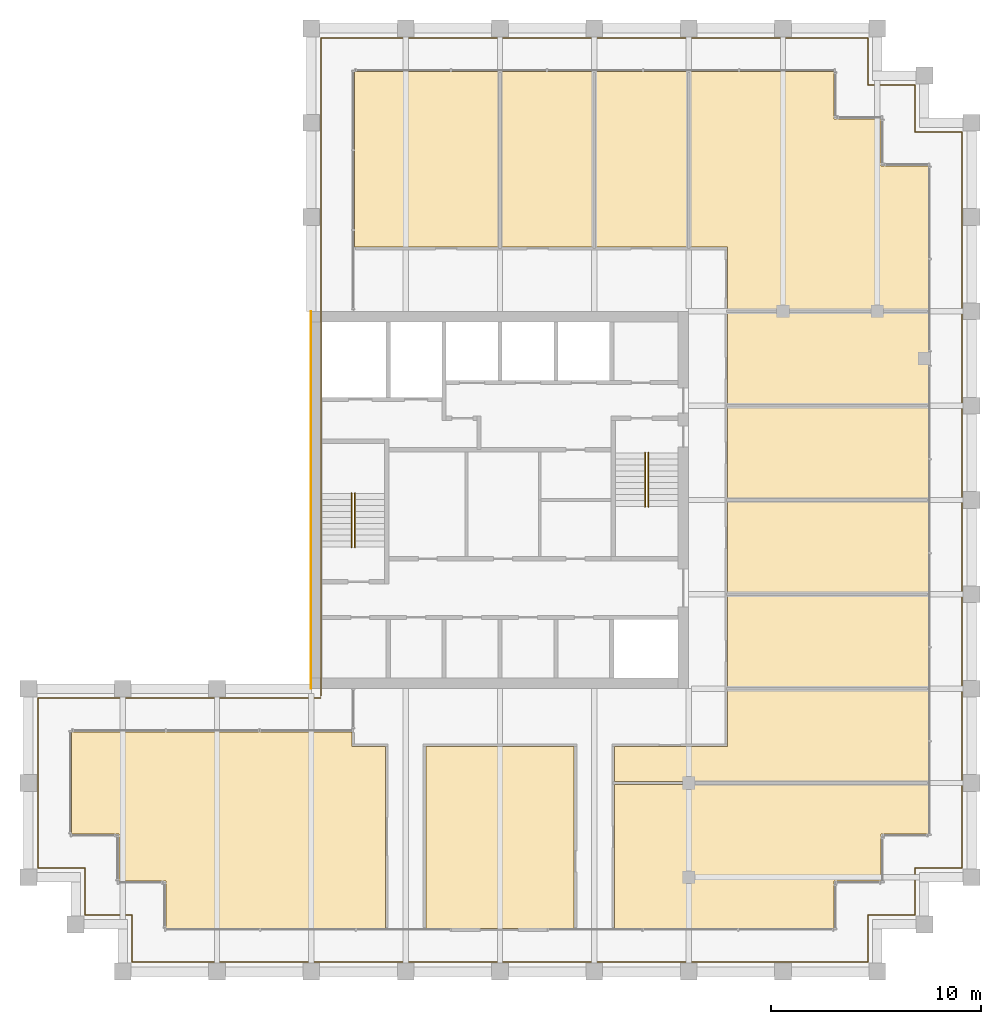
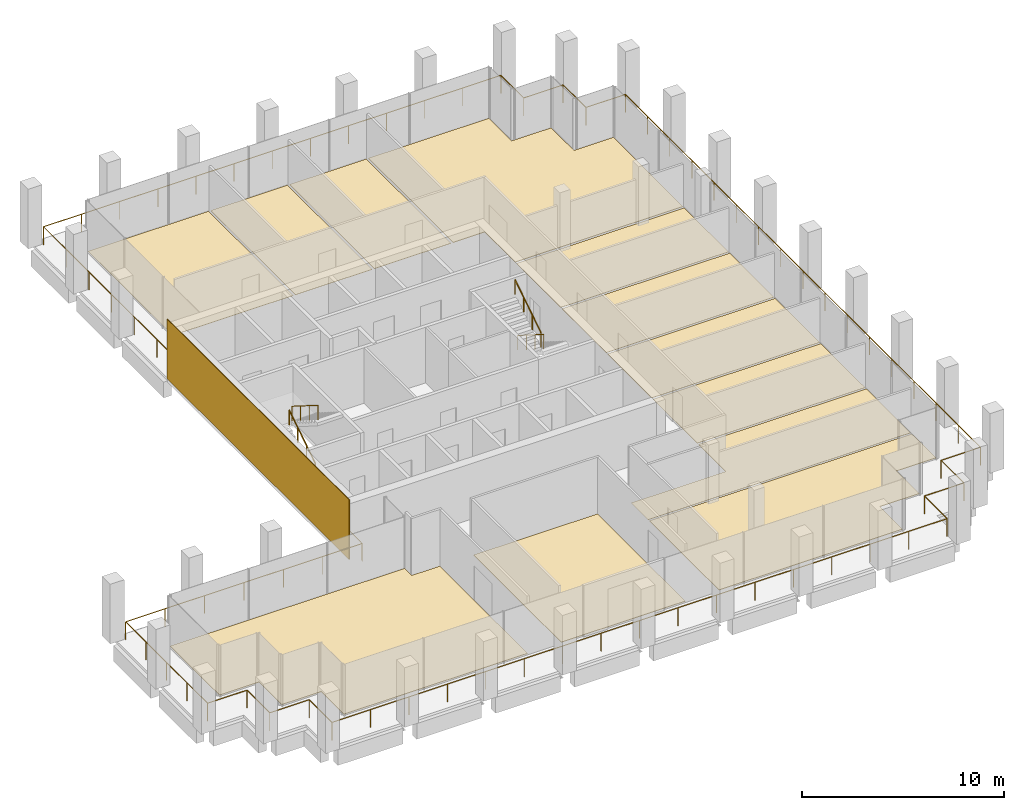
# One storey, part 30 of 30: 13 coverings, 5 railings.
"""IFC4 building model written with IfcOpenShell, lengths in metres."""

from ifc_helpers import new_model, si_unit, direction, frame, origin, origin_2d, place, context, subcontext, project, spatial, polyline, rectangle, circle, outline, extrude, source, transform, mapped, material, layer, layer_set, type_object, element, save


model = new_model("IFC4")

# Units and contexts
model_context = context("Model", 3, precision=1e-05, world=origin(), true_north=direction((0.0, 1.0)))
body_context = subcontext(model_context, "Body", "Model", "MODEL_VIEW")
ifc_project = project(units=[si_unit("LENGTHUNIT", "METRE"), si_unit("AREAUNIT", "SQUARE_METRE"), si_unit("VOLUMEUNIT", "CUBIC_METRE"), si_unit("PLANEANGLEUNIT", "RADIAN"), si_unit("MASSUNIT", "GRAM", prefix="KILO")], contexts=[model_context])

# Site, building, storey
site_placement = place(None, origin())
site = spatial("IfcSite", under=ifc_project, at=site_placement, CompositionType="ELEMENT")
building_placement = place(site_placement, origin())
building = spatial("IfcBuilding", under=site, at=building_placement, Name="Altepetl Exchange Towers", CompositionType="ELEMENT")
storey_placement = place(building_placement, frame((0.0, 0.0, 213.60009765625)))
storey = spatial("IfcBuildingStorey", under=building, at=storey_placement, Name="L54", CompositionType="ELEMENT", Elevation=213.60009765625)

# Coverings
ifc_material_1 = material(Name="Carpet tile")
ifc_layer_1 = layer(ifc_material_1, 0.02001953125)
ifc_layer_set_1 = layer_set([ifc_layer_1], Name="Carpet tile")
covering_type_1 = type_object("IfcCoveringType", Name="Carpet tile floor", PredefinedType="FLOORING", material=ifc_layer_set_1)
covering_1_placement = place(storey_placement, origin())
element("IfcCovering", 1, at=covering_1_placement, inside=storey, type_object=covering_type_1, Name="Family office floor finish A54.04", PredefinedType="FLOORING", context=body_context, shape_type="SweptSolid", body=[
    extrude(outline(polyline([(69.9375, 40.4375), (60.362548828125, 40.4375), (60.362548828125, 37.737548828125), (54.96240234375, 37.737548828125), (54.96240234375, 36.0625), (69.9375, 36.0625), (69.9375, 40.4375)])), origin(), (0.0, 0.0, 1.0), 0.02001953125),
])
covering_2_placement = place(storey_placement, origin())
element("IfcCovering", 2, at=covering_2_placement, inside=storey, type_object=covering_type_1, Name="Open office floor finish A54.05", PredefinedType="FLOORING", context=body_context, shape_type="SweptSolid", body=[
    extrude(outline(polyline([(69.9375, 44.9375), (60.362548828125, 44.9375), (60.362548828125, 40.5625), (69.9375, 40.5625), (69.9375, 44.9375)])), origin(), (0.0, 0.0, 1.0), 0.02001953125),
])
covering_3_placement = place(storey_placement, origin())
element("IfcCovering", 3, at=covering_3_placement, inside=storey, type_object=covering_type_1, Name="Conference room floor finish A54.06", PredefinedType="FLOORING", context=body_context, shape_type="SweptSolid", body=[
    extrude(outline(polyline([(69.9375, 49.4375), (60.362548828125, 49.4375), (60.362548828125, 45.0625), (69.9375, 45.0625), (69.9375, 49.4375)])), origin(), (0.0, 0.0, 1.0), 0.02001953125),
])
covering_4_placement = place(storey_placement, origin())
element("IfcCovering", 4, at=covering_4_placement, inside=storey, type_object=covering_type_1, Name="Open office floor finish A54.07", PredefinedType="FLOORING", context=body_context, shape_type="SweptSolid", body=[
    extrude(outline(polyline([(69.9375, 53.9375), (60.362548828125, 53.9375), (60.362548828125, 49.5625), (69.9375, 49.5625), (69.9375, 53.9375)])), origin(), (0.0, 0.0, 1.0), 0.02001953125),
])
covering_5_placement = place(storey_placement, origin())
element("IfcCovering", 5, at=covering_5_placement, inside=storey, type_object=covering_type_1, Name="Conference room floor finish A54.08", PredefinedType="FLOORING", context=body_context, shape_type="SweptSolid", body=[
    extrude(outline(polyline([(69.9375, 58.4375), (60.362548828125, 58.4375), (60.362548828125, 54.0625), (69.9375, 54.0625), (69.9375, 58.4375)])), origin(), (0.0, 0.0, 1.0), 0.02001953125),
])
covering_6_placement = place(storey_placement, origin())
element("IfcCovering", 6, at=covering_6_placement, inside=storey, type_object=covering_type_1, Name="Quiet room floor finish A54.10", PredefinedType="FLOORING", context=body_context, shape_type="SweptSolid", body=[
    extrude(outline(polyline([(58.4375, 61.5625), (58.4375, 69.9375), (54.0625, 69.9375), (54.0625, 61.5625), (58.4375, 61.5625)])), origin(), (0.0, 0.0, 1.0), 0.02001953125),
])
covering_7_placement = place(storey_placement, origin())
element("IfcCovering", 7, at=covering_7_placement, inside=storey, type_object=covering_type_1, Name="Pantry floor finish A54.11", PredefinedType="FLOORING", context=body_context, shape_type="SweptSolid", body=[
    extrude(outline(polyline([(53.9375, 61.5625), (53.9375, 69.9375), (49.5625, 69.9375), (49.5625, 61.5625), (53.9375, 61.5625)])), origin(), (0.0, 0.0, 1.0), 0.02001953125),
])
covering_8_placement = place(storey_placement, origin())
element("IfcCovering", 8, at=covering_8_placement, inside=storey, type_object=covering_type_1, Name="Open office floor finish A54.12", PredefinedType="FLOORING", context=body_context, shape_type="SweptSolid", body=[
    extrude(outline(polyline([(49.4375, 61.5625), (49.4375, 69.9375), (42.5625, 69.9375), (42.5625, 61.5625), (49.4375, 61.5625)])), origin(), (0.0, 0.0, 1.0), 0.02001953125),
])
ifc_material_2 = material(Name="Cantera stone", Category="masonry")
ifc_layer_2 = layer(ifc_material_2, 0.030029296875)
ifc_layer_set_2 = layer_set([ifc_layer_2], Name="Cantera stone")
covering_type_2 = type_object("IfcCoveringType", Name="Polished stone floor", PredefinedType="FLOORING", material=ifc_layer_set_2)
covering_9_placement = place(storey_placement, origin())
element("IfcCovering", 9, at=covering_9_placement, inside=storey, type_object=covering_type_2, Name="Library floor finish A54.01", PredefinedType="FLOORING", context=body_context, shape_type="SweptSolid", body=[
    extrude(outline(polyline([(31.3125, 33.5625), (31.3125, 31.3125), (33.5625, 31.3125), (33.5625, 29.0625), (44.03759765625, 29.0625), (44.03759765625, 37.737548828125), (42.4375, 37.737548828125), (42.4375, 38.4375), (29.0625, 38.4375), (29.0625, 33.5625), (31.3125, 33.5625)])), origin(), (0.0, 0.0, 1.0), 0.02978515625),
])
covering_10_placement = place(storey_placement, origin())
element("IfcCovering", 10, at=covering_10_placement, inside=storey, type_object=covering_type_2, Name="Library floor finish A54.02", PredefinedType="FLOORING", context=body_context, shape_type="SweptSolid", body=[
    extrude(outline(polyline([(45.96240234375, 37.737548828125), (45.96240234375, 29.0625), (53.03759765625, 29.0625), (53.03759765625, 37.737548828125), (45.96240234375, 37.737548828125)])), origin(), (0.0, 0.0, 1.0), 0.02978515625),
])
covering_11_placement = place(storey_placement, origin())
element("IfcCovering", 11, at=covering_11_placement, inside=storey, type_object=covering_type_2, Name="Library floor finish A54.03", PredefinedType="FLOORING", context=body_context, shape_type="SweptSolid", body=[
    extrude(outline(polyline([(69.9375, 35.9375), (54.96240234375, 35.9375), (54.96240234375, 29.0625), (65.4375, 29.0625), (65.4375, 31.3125), (67.6875, 31.3125), (67.6875, 33.5625), (69.9375, 33.5625), (69.9375, 35.9375)])), origin(), (0.0, 0.0, 1.0), 0.02978515625),
])
covering_12_placement = place(storey_placement, origin())
element("IfcCovering", 12, at=covering_12_placement, inside=storey, type_object=covering_type_2, Name="Library floor finish A54.09", PredefinedType="FLOORING", context=body_context, shape_type="SweptSolid", body=[
    extrude(outline(polyline([(67.6875, 67.6875), (65.4375, 67.6875), (65.4375, 69.9375), (58.5625, 69.9375), (58.5625, 61.5625), (60.362548828125, 61.5625), (60.362548828125, 58.5625), (69.9375, 58.5625), (69.9375, 65.4375), (67.6875, 65.4375), (67.6875, 67.6875)])), origin(), (0.0, 0.0, 1.0), 0.02978515625),
])
ifc_material_3 = material(Name="Cantera limestone cladding", Category="masonry")
ifc_layer_3 = layer(ifc_material_3, 0.0400390625)
ifc_layer_set_3 = layer_set([ifc_layer_3], Name="Cantera limestone cladding")
covering_type_3 = type_object("IfcCoveringType", Name="Stone panel 40 cantera", PredefinedType="CLADDING", material=ifc_layer_set_3)
covering_13_placement = place(storey_placement, frame((40.47998046875, 49.5, -0.000244140625), z_axis=(0.0, 0.0, 1.0), x_axis=(0.0, -1.0, 0.0)))
element("IfcCovering", 13, at=covering_13_placement, inside=storey, type_object=covering_type_3, Name="Stone cladding panel", PredefinedType="CLADDING", context=body_context, shape_type="SweptSolid", body=[
    extrude(rectangle(XDim=18.0, YDim=0.0400390625, at=origin_2d()), origin(), (0.0, 0.0, 1.0), 3.60009765625),
])

# Railings
ifc_material_4 = material(Name="Steel S355", Category="steel")
railing_type_1 = type_object("IfcRailingType", Name="Guard 1100 steel posts and rail", PredefinedType="GUARDRAIL", material=ifc_material_4)
shared_shape_1 = source(origin(), body_context, "Body", "SweptSolid", [
    extrude(circle(Radius=0.02099609375, at=origin_2d()), origin(), (0.0, 0.0, 1.0), 1.052001953125),
])
railing_1_placement = place(storey_placement, frame((40.949951171875, 40.050048828125, 0.0)))
element("IfcRailing", 14, at=railing_1_placement, inside=storey, type_object=railing_type_1, Name="Loggia guard", PredefinedType="GUARDRAIL", context=body_context, shape_type="SweptSolid", body=[
    extrude(circle(Radius=0.02392578125, at=origin_2d()), frame((0.0, 0.0, 1.076171875), z_axis=(-1.0, 0.0, 0.0), x_axis=(0.0, -1.0, 0.0)), (0.0, 0.0, 1.0), 13.5),
    extrude(circle(Radius=0.02392578125, at=origin_2d()), frame((-13.5, 0.0, 1.076171875), z_axis=(0.0, -1.0, 0.0), x_axis=(1.0, 0.0, 0.0)), (0.0, 0.0, 1.0), 8.10009765625),
    extrude(circle(Radius=0.02392578125, at=origin_2d()), frame((-13.5, -8.10009765625, 1.076171875), z_axis=(1.0, 0.0, 0.0), x_axis=(0.0, 1.0, 0.0)), (0.0, 0.0, 1.0), 2.25),
    extrude(circle(Radius=0.02392578125, at=origin_2d()), frame((-11.25, -8.10009765625, 1.076171875), z_axis=(0.0, -1.0, 0.0), x_axis=(1.0, 0.0, 0.0)), (0.0, 0.0, 1.0), 2.25),
    extrude(circle(Radius=0.02392578125, at=origin_2d()), frame((-11.25, -10.35009765625, 1.076171875), z_axis=(1.0, 0.0, 0.0), x_axis=(0.0, 1.0, 0.0)), (0.0, 0.0, 1.0), 2.25),
    extrude(circle(Radius=0.02392578125, at=origin_2d()), frame((-9.0, -10.35009765625, 1.076171875), z_axis=(0.0, -1.0, 0.0), x_axis=(1.0, 0.0, 0.0)), (0.0, 0.0, 1.0), 2.25),
    extrude(circle(Radius=0.02392578125, at=origin_2d()), frame((-9.0, -12.60009765625, 1.076171875), z_axis=(1.0, 0.0, 0.0), x_axis=(0.0, 1.0, 0.0)), (0.0, 0.0, 1.0), 35.10009765625),
    extrude(circle(Radius=0.02392578125, at=origin_2d()), frame((26.10009765625, -12.60009765625, 1.076171875), z_axis=(0.0, 1.0, 0.0), x_axis=(-1.0, 0.0, 0.0)), (0.0, 0.0, 1.0), 2.25),
    extrude(circle(Radius=0.02392578125, at=origin_2d()), frame((26.10009765625, -10.35009765625, 1.076171875), z_axis=(1.0, 0.0, 0.0), x_axis=(0.0, 1.0, 0.0)), (0.0, 0.0, 1.0), 2.25),
    extrude(circle(Radius=0.02392578125, at=origin_2d()), frame((28.35009765625, -10.35009765625, 1.076171875), z_axis=(0.0, 1.0, 0.0), x_axis=(-1.0, 0.0, 0.0)), (0.0, 0.0, 1.0), 2.25),
    extrude(circle(Radius=0.02392578125, at=origin_2d()), frame((28.35009765625, -8.10009765625, 1.076171875), z_axis=(1.0, 0.0, 0.0), x_axis=(0.0, 1.0, 0.0)), (0.0, 0.0, 1.0), 2.25),
    extrude(circle(Radius=0.02392578125, at=origin_2d()), frame((30.60009765625, -8.10009765625, 1.076171875), z_axis=(0.0, 1.0, 0.0), x_axis=(-1.0, 0.0, 0.0)), (0.0, 0.0, 1.0), 35.10009765625),
    extrude(circle(Radius=0.02392578125, at=origin_2d()), frame((30.60009765625, 27.0, 1.076171875), z_axis=(-1.0, 0.0, 0.0), x_axis=(0.0, -1.0, 0.0)), (0.0, 0.0, 1.0), 2.25),
    extrude(circle(Radius=0.02392578125, at=origin_2d()), frame((28.35009765625, 27.0, 1.076171875), z_axis=(0.0, 1.0, 0.0), x_axis=(-1.0, 0.0, 0.0)), (0.0, 0.0, 1.0), 2.25),
    extrude(circle(Radius=0.02392578125, at=origin_2d()), frame((28.35009765625, 29.25, 1.076171875), z_axis=(-1.0, 0.0, 0.0), x_axis=(0.0, -1.0, 0.0)), (0.0, 0.0, 1.0), 2.25),
    extrude(circle(Radius=0.02392578125, at=origin_2d()), frame((26.10009765625, 29.25, 1.076171875), z_axis=(0.0, 1.0, 0.0), x_axis=(-1.0, 0.0, 0.0)), (0.0, 0.0, 1.0), 2.25),
    extrude(circle(Radius=0.02392578125, at=origin_2d()), frame((26.10009765625, 31.5, 1.076171875), z_axis=(-1.0, 0.0, 0.0), x_axis=(0.0, -1.0, 0.0)), (0.0, 0.0, 1.0), 26.10009765625),
    extrude(circle(Radius=0.02392578125, at=origin_2d()), frame((0.0, 31.5, 1.076171875), z_axis=(0.0, -1.0, 0.0), x_axis=(1.0, 0.0, 0.0)), (0.0, 0.0, 1.0), 31.400146484375),
    mapped(shared_shape_1, transform((0.0, 0.0, 0.0))),
    mapped(shared_shape_1, transform((-2.25, 0.0, 0.0))),
    mapped(shared_shape_1, transform((-4.5, 0.0, 0.0))),
    mapped(shared_shape_1, transform((-6.75, 0.0, 0.0))),
    mapped(shared_shape_1, transform((-9.0, 0.0, 0.0))),
    mapped(shared_shape_1, transform((-11.25, 0.0, 0.0))),
    mapped(shared_shape_1, transform((-13.5, 0.0, 0.0))),
    mapped(shared_shape_1, transform((-13.5, -2.02490234375, 0.0))),
    mapped(shared_shape_1, transform((-13.5, -4.050048828125, 0.0))),
    mapped(shared_shape_1, transform((-13.5, -6.0751953125, 0.0))),
    mapped(shared_shape_1, transform((-13.5, -8.10009765625, 0.0))),
    mapped(shared_shape_1, transform((-11.25, -8.10009765625, 0.0))),
    mapped(shared_shape_1, transform((-11.25, -10.35009765625, 0.0))),
    mapped(shared_shape_1, transform((-9.0, -10.35009765625, 0.0))),
    mapped(shared_shape_1, transform((-9.0, -12.60009765625, 0.0))),
    mapped(shared_shape_1, transform((-6.80615234375, -12.60009765625, 0.0))),
    mapped(shared_shape_1, transform((-4.612548828125, -12.60009765625, 0.0))),
    mapped(shared_shape_1, transform((-2.418701171875, -12.60009765625, 0.0))),
    mapped(shared_shape_1, transform((-0.22509765625, -12.60009765625, 0.0))),
    mapped(shared_shape_1, transform((1.96875, -12.60009765625, 0.0))),
    mapped(shared_shape_1, transform((4.16259765625, -12.60009765625, 0.0))),
    mapped(shared_shape_1, transform((6.356201171875, -12.60009765625, 0.0))),
    mapped(shared_shape_1, transform((8.550048828125, -12.60009765625, 0.0))),
    mapped(shared_shape_1, transform((10.743896484375, -12.60009765625, 0.0))),
    mapped(shared_shape_1, transform((12.9375, -12.60009765625, 0.0))),
    mapped(shared_shape_1, transform((15.13134765625, -12.60009765625, 0.0))),
    mapped(shared_shape_1, transform((17.3251953125, -12.60009765625, 0.0))),
    mapped(shared_shape_1, transform((19.518798828125, -12.60009765625, 0.0))),
    mapped(shared_shape_1, transform((21.712646484375, -12.60009765625, 0.0))),
    mapped(shared_shape_1, transform((23.90625, -12.60009765625, 0.0))),
    mapped(shared_shape_1, transform((26.10009765625, -12.60009765625, 0.0))),
    mapped(shared_shape_1, transform((26.10009765625, -10.35009765625, 0.0))),
    mapped(shared_shape_1, transform((28.35009765625, -10.35009765625, 0.0))),
    mapped(shared_shape_1, transform((28.35009765625, -8.10009765625, 0.0))),
    mapped(shared_shape_1, transform((30.60009765625, -8.10009765625, 0.0))),
    mapped(shared_shape_1, transform((30.60009765625, -5.90625, 0.0))),
    mapped(shared_shape_1, transform((30.60009765625, -3.712646484375, 0.0))),
    mapped(shared_shape_1, transform((30.60009765625, -1.518798828125, 0.0))),
    mapped(shared_shape_1, transform((30.60009765625, 0.6748046875, 0.0))),
    mapped(shared_shape_1, transform((30.60009765625, 2.86865234375, 0.0))),
    mapped(shared_shape_1, transform((30.60009765625, 5.0625, 0.0))),
    mapped(shared_shape_1, transform((30.60009765625, 7.256103515625, 0.0))),
    mapped(shared_shape_1, transform((30.60009765625, 9.449951171875, 0.0))),
    mapped(shared_shape_1, transform((30.60009765625, 11.643798828125, 0.0))),
    mapped(shared_shape_1, transform((30.60009765625, 13.83740234375, 0.0))),
    mapped(shared_shape_1, transform((30.60009765625, 16.03125, 0.0))),
    mapped(shared_shape_1, transform((30.60009765625, 18.22509765625, 0.0))),
    mapped(shared_shape_1, transform((30.60009765625, 20.418701171875, 0.0))),
    mapped(shared_shape_1, transform((30.60009765625, 22.612548828125, 0.0))),
    mapped(shared_shape_1, transform((30.60009765625, 24.80615234375, 0.0))),
    mapped(shared_shape_1, transform((30.60009765625, 27.0, 0.0))),
    mapped(shared_shape_1, transform((28.35009765625, 27.0, 0.0))),
    mapped(shared_shape_1, transform((28.35009765625, 29.25, 0.0))),
    mapped(shared_shape_1, transform((26.10009765625, 29.25, 0.0))),
    mapped(shared_shape_1, transform((26.10009765625, 31.5, 0.0))),
    mapped(shared_shape_1, transform((23.925048828125, 31.5, 0.0))),
    mapped(shared_shape_1, transform((21.75, 31.5, 0.0))),
    mapped(shared_shape_1, transform((19.5751953125, 31.5, 0.0))),
    mapped(shared_shape_1, transform((17.400146484375, 31.5, 0.0))),
    mapped(shared_shape_1, transform((15.22509765625, 31.5, 0.0))),
    mapped(shared_shape_1, transform((13.050048828125, 31.5, 0.0))),
    mapped(shared_shape_1, transform((10.875, 31.5, 0.0))),
    mapped(shared_shape_1, transform((8.699951171875, 31.5, 0.0))),
    mapped(shared_shape_1, transform((6.52490234375, 31.5, 0.0))),
    mapped(shared_shape_1, transform((4.35009765625, 31.5, 0.0))),
    mapped(shared_shape_1, transform((2.175048828125, 31.5, 0.0))),
    mapped(shared_shape_1, transform((0.0, 31.5, 0.0))),
    mapped(shared_shape_1, transform((0.0, 29.257080078125, 0.0))),
    mapped(shared_shape_1, transform((0.0, 27.01416015625, 0.0))),
    mapped(shared_shape_1, transform((0.0, 24.771484375, 0.0))),
    mapped(shared_shape_1, transform((0.0, 22.528564453125, 0.0))),
    mapped(shared_shape_1, transform((0.0, 20.28564453125, 0.0))),
    mapped(shared_shape_1, transform((0.0, 18.042724609375, 0.0))),
    mapped(shared_shape_1, transform((0.0, 15.7998046875, 0.0))),
    mapped(shared_shape_1, transform((0.0, 13.55712890625, 0.0))),
    mapped(shared_shape_1, transform((0.0, 11.314208984375, 0.0))),
    mapped(shared_shape_1, transform((0.0, 9.0712890625, 0.0))),
    mapped(shared_shape_1, transform((0.0, 6.828369140625, 0.0))),
    mapped(shared_shape_1, transform((0.0, 4.585693359375, 0.0))),
    mapped(shared_shape_1, transform((0.0, 2.3427734375, 0.0))),
    mapped(shared_shape_1, transform((0.0, 0.099853515625, 0.0))),
])
ifc_material_5 = material(Name="Steel", Category="steel")
railing_type_2 = type_object("IfcRailingType", Name="Stair handrail 50 steel tube", PredefinedType="HANDRAIL", material=ifc_material_5)
shared_shape_2 = source(origin(), body_context, "Body", "SweptSolid", [
    extrude(circle(Radius=0.02099609375, at=origin_2d()), origin(), (0.0, 0.0, 1.0), 0.851806640625),
])
railing_2_placement = place(storey_placement, frame((42.419921875, 47.25, 0.179931640625)))
element("IfcRailing", 15, at=railing_2_placement, inside=storey, type_object=railing_type_2, Name="Stair handrail", PredefinedType="HANDRAIL", context=body_context, shape_type="SweptSolid", body=[
    extrude(circle(Radius=0.02392578125, at=origin_2d()), frame((0.0, 0.0, 0.8759765625), z_axis=(0.0, 0.845502289212, 0.533971796014), x_axis=(-1.0, 0.0, 0.0)), (0.0, 0.0, 1.0), 3.03369140625),
    mapped(shared_shape_2, transform((0.0, 0.0, 0.0))),
    mapped(shared_shape_2, transform((0.0, 0.85498046875, 0.5400390625))),
    mapped(shared_shape_2, transform((0.0, 1.7099609375, 1.079833984375))),
    mapped(shared_shape_2, transform((0.0, 2.56494140625, 1.619873046875))),
])
for number, where, name in (
    (16, (42.580078125, 49.81494140625, 1.97998046875), "Stair handrail"),
    (17, (56.580078125, 51.75, 0.179931640625), "Stair handrail"),
):
    element("IfcRailing", number, at=place(storey_placement, frame(where)), inside=storey, type_object=railing_type_2, Name=name, PredefinedType="HANDRAIL", context=body_context, shape_type="SweptSolid", body=[
        extrude(circle(Radius=0.02392578125, at=origin_2d()), frame((0.0, 0.0, 0.8759765625), z_axis=(0.0, -0.845502289212, 0.533971796014), x_axis=(1.0, 0.0, 0.0)), (0.0, 0.0, 1.0), 3.03369140625),
        mapped(shared_shape_2, transform((0.0, 0.0, 0.0))),
        mapped(shared_shape_2, transform((0.0, -0.85498046875, 0.5400390625))),
        mapped(shared_shape_2, transform((0.0, -1.7099609375, 1.079833984375))),
        mapped(shared_shape_2, transform((0.0, -2.56494140625, 1.619873046875))),
    ])
railing_3_placement = place(storey_placement, frame((56.419921875, 49.18505859375, 1.97998046875)))
element("IfcRailing", 18, at=railing_3_placement, inside=storey, type_object=railing_type_2, Name="Stair handrail", PredefinedType="HANDRAIL", context=body_context, shape_type="SweptSolid", body=[
    extrude(circle(Radius=0.02392578125, at=origin_2d()), frame((0.0, 0.0, 0.8759765625), z_axis=(0.0, 0.845502289212, 0.533971796014), x_axis=(-1.0, 0.0, 0.0)), (0.0, 0.0, 1.0), 3.03369140625),
    mapped(shared_shape_2, transform((0.0, 0.0, 0.0))),
    mapped(shared_shape_2, transform((0.0, 0.85498046875, 0.5400390625))),
    mapped(shared_shape_2, transform((0.0, 1.7099609375, 1.079833984375))),
    mapped(shared_shape_2, transform((0.0, 2.56494140625, 1.619873046875))),
])

save(model, "model.ifc")
